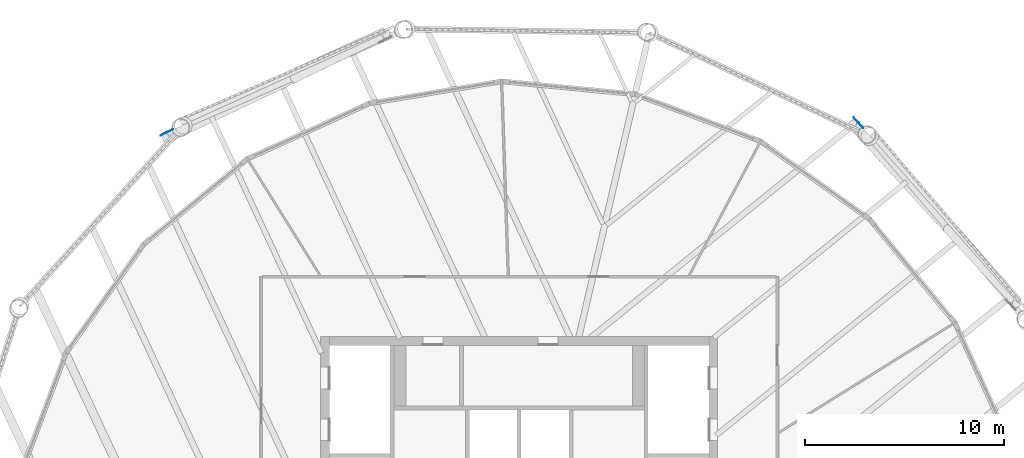
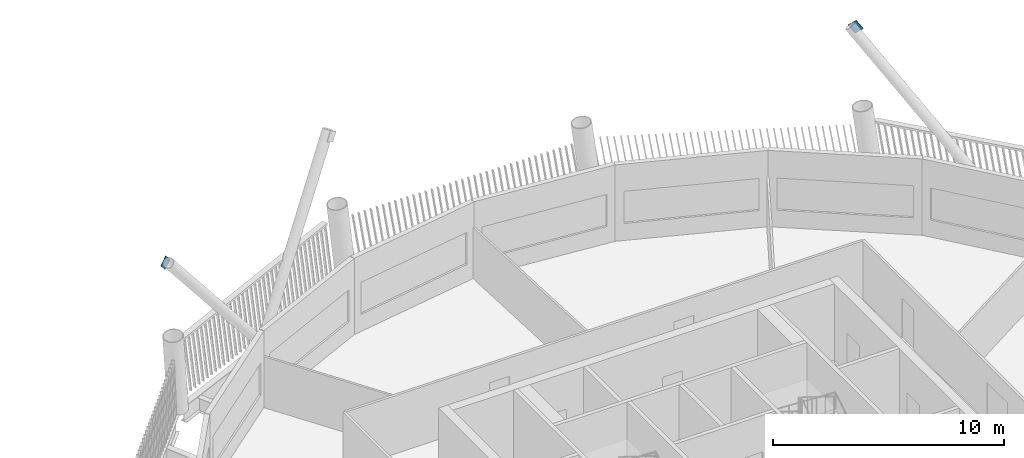
# One storey, part 23 of 36: 2 discrete accessories.
"""IFC4 building model written with IfcOpenShell, lengths in metres."""

import ifcopenshell
import ifcopenshell.guid

model = None  # the IFC model being written
_history = None  # IfcOwnerHistory: only IFC2X3 demands one
_inside = {}  # id of a spatial element -> (the spatial element, [elements in it])
_under = {}  # id of a project, library or spatial element -> (it, [spatial elements below it])
_declared = {}  # id of a project -> (the project, [libraries it declares])
_typed = {}  # id of a type object -> (the type object, [elements of that type])
_made_of = {}  # id of a material, layer set ... -> (it, [elements and type objects made of it])


def new_model(schema):
    """Start an empty IFC model of exactly this schema.

    Asked for "IFC4X3", IfcOpenShell would pick the latest addendum, in which some entities
    have other attributes; the version numbers below select the first issue.
    IFC2X3 requires an IfcOwnerHistory on every rooted entity: one is made here for all.
    """
    global model, _history
    if schema == "IFC4X3":
        model = ifcopenshell.file(schema_version=(4, 3, 0, 0))
    else:
        model = ifcopenshell.file(schema=schema)
    _inside.clear()
    _under.clear()
    _declared.clear()
    _typed.clear()
    _made_of.clear()
    _history = None
    if model.schema == "IFC2X3":
        org = make("IfcOrganization", Name="unknown")
        user = make(
            "IfcPersonAndOrganization",
            ThePerson=make("IfcPerson", FamilyName="unknown"),
            TheOrganization=org,
        )
        app = make(
            "IfcApplication",
            ApplicationDeveloper=org,
            Version="unknown",
            ApplicationFullName="unknown",
            ApplicationIdentifier="unknown",
        )
        _history = make(
            "IfcOwnerHistory",
            OwningUser=user,
            OwningApplication=app,
            ChangeAction="ADDED",
            CreationDate=0,
        )
    return model


def make(cls, **values):
    """One entity of the class cls with the attributes given. An attribute that is None is left unset."""
    return model.create_entity(
        cls, **{name: value for name, value in values.items() if value is not None}
    )


def rooted(cls, **values):
    """An entity with a GlobalId (a new one), such as an element, a storey or a relation."""
    return make(cls, GlobalId=ifcopenshell.guid.new(), OwnerHistory=_history, **values)


def si_unit(unit_type, name, prefix=None):
    """IfcSIUnit, for example si_unit("LENGTHUNIT", "METRE", prefix="MILLI")."""
    return make("IfcSIUnit", UnitType=unit_type, Prefix=prefix, Name=name)


def assignment(units):
    """IfcUnitAssignment: the units of a project."""
    return None if units is None else make("IfcUnitAssignment", Units=units)


def point(xyz):
    """IfcCartesianPoint."""
    return None if xyz is None else make("IfcCartesianPoint", Coordinates=xyz)


def direction(xyz):
    """IfcDirection."""
    return None if xyz is None else make("IfcDirection", DirectionRatios=xyz)


def frame(location, z_axis=None, x_axis=None):
    """IfcAxis2Placement3D, a coordinate frame: its origin and axes. An axis left out is left unset."""
    return make(
        "IfcAxis2Placement3D",
        Location=point(location),
        Axis=direction(z_axis),
        RefDirection=direction(x_axis),
    )


def frame_2d(location, x_axis=None):
    """IfcAxis2Placement2D, a coordinate frame in the plane: its origin and x axis."""
    return make(
        "IfcAxis2Placement2D", Location=point(location), RefDirection=direction(x_axis)
    )


def origin():
    """The frame at (0, 0, 0) with its axes left unset."""
    return frame((0.0, 0.0, 0.0))


def origin_2d():
    """The frame at (0, 0) in the plane with its x axis left unset."""
    return frame_2d((0.0, 0.0))


def place(relative_to, where):
    """IfcLocalPlacement: puts the frame where relative to a parent placement (None: the world)."""
    return make(
        "IfcLocalPlacement", PlacementRelTo=relative_to, RelativePlacement=where
    )


def context(
    kind, dimensions, precision=None, world=None, true_north=None, identifier=None
):
    """IfcGeometricRepresentationContext, for example the 3D "Model" context."""
    return make(
        "IfcGeometricRepresentationContext",
        ContextIdentifier=identifier,
        ContextType=kind,
        CoordinateSpaceDimension=dimensions,
        Precision=precision,
        WorldCoordinateSystem=world,
        TrueNorth=true_north,
    )


def subcontext(parent, identifier, kind, view, scale=None):
    """IfcGeometricRepresentationSubContext, for example "Body" below "Model"."""
    return make(
        "IfcGeometricRepresentationSubContext",
        ContextIdentifier=identifier,
        ContextType=kind,
        ParentContext=parent,
        TargetScale=scale,
        TargetView=view,
    )


def project(units=None, contexts=None):
    """IfcProject with its units and contexts."""
    return rooted(
        "IfcProject",
        Name="project",
        RepresentationContexts=contexts,
        UnitsInContext=assignment(units),
    )


def spatial(cls, under=None, at=None, **own):
    """A site, building, storey or space (cls), placed at a placement, below another one or the project."""
    s = rooted(cls, ObjectPlacement=at, **own)
    if under is not None:
        _under.setdefault(under.id(), (under, []))[1].append(s)
    return s


def profile(cls, at=None, kind="AREA", **sizes):
    """A parametric profile (cls). Its sizes go by their IFC names, for example OverallWidth=200.0."""
    return make(cls, ProfileType=kind, Position=at, **sizes)


def rectangle(**sizes):
    """IfcRectangleProfileDef."""
    return profile("IfcRectangleProfileDef", **sizes)


def extrude(swept, where, along, depth):
    """IfcExtrudedAreaSolid: the profile swept, set in the frame where, extruded along a direction by depth."""
    return make(
        "IfcExtrudedAreaSolid",
        SweptArea=swept,
        Position=where,
        ExtrudedDirection=direction(along),
        Depth=depth,
    )


def shape(context_of_items, identifier, shape_type, items):
    """IfcShapeRepresentation: the items that make up one representation, for example the "Body"."""
    return make(
        "IfcShapeRepresentation",
        ContextOfItems=context_of_items,
        RepresentationIdentifier=identifier,
        RepresentationType=shape_type,
        Items=items,
    )


def material(Name=None, Category=None):
    """IfcMaterial."""
    return make("IfcMaterial", Name=Name, Category=Category)


def material_profile(
    of_material, cross_section, Name=None, Category=None, Priority=None
):
    """IfcMaterialProfile: a cross section and its material."""
    return make(
        "IfcMaterialProfile",
        Name=Name,
        Material=of_material,
        Profile=cross_section,
        Priority=Priority,
        Category=Category,
    )


def profile_set(profiles, Name=None, composite=None):
    """IfcMaterialProfileSet."""
    return make(
        "IfcMaterialProfileSet",
        Name=Name,
        MaterialProfiles=profiles,
        CompositeProfile=composite,
    )


def made_of(thing, what):
    """Note that an element or type object is made of a material, layer set ...; save() writes the relation."""
    if what is not None:
        _made_of.setdefault(what.id(), (what, []))[1].append(thing)
    return thing


def type_object(cls, material=None, **own):
    """A type object (cls), such as IfcWallType, which elements share."""
    return made_of(rooted(cls, **own), material)


def element(
    cls,
    number,
    at=None,
    inside=None,
    cuts=None,
    type_object=None,
    material=None,
    context=None,
    identifier="Body",
    shape_type=None,
    held_by="IfcProductDefinitionShape",
    body=None,
    shapes=None,
    **own,
):
    """One element of the class cls, such as IfcWall. Its Tag is "e" and its number.

    at: its placement. inside: the storey or other place that contains it. cuts: it is an
    opening in that element (IfcRelVoidsElement). A single representation is given by context,
    identifier, shape_type and body (its items); several are given by shapes. held_by: the class
    of the entity that holds the representations. save() writes the other relations.
    """
    e = rooted(cls, Tag="e%d" % number, ObjectPlacement=at, **own)
    if body is not None:
        shapes = [shape(context, identifier, shape_type, body)]
    if shapes is not None:
        e.Representation = make(held_by, Representations=shapes)
    if inside is not None:
        _inside.setdefault(inside.id(), (inside, []))[1].append(e)
    if cuts is not None:
        rooted(
            "IfcRelVoidsElement", RelatingBuildingElement=cuts, RelatedOpeningElement=e
        )
    if type_object is not None:
        _typed.setdefault(type_object.id(), (type_object, []))[1].append(e)
    return made_of(e, material)


def aggregate(whole, parts):
    """IfcRelAggregates: a whole, such as a stair, and the parts it consists of."""
    return rooted("IfcRelAggregates", RelatingObject=whole, RelatedObjects=parts)


def save(model, path):
    """Write the relations noted so far, then the file.

    IfcRelAggregates (storeys below a building ...), IfcRelContainedInSpatialStructure (elements
    in a storey), IfcRelDefinesByType, IfcRelAssociatesMaterial and IfcRelDeclares: one each for
    every whole, place, type object, material and project.
    """
    for whole, parts in _under.values():
        aggregate(whole, parts)
    for where, things in _inside.values():
        rooted(
            "IfcRelContainedInSpatialStructure",
            RelatedElements=things,
            RelatingStructure=where,
        )
    for kind, things in _typed.values():
        rooted("IfcRelDefinesByType", RelatedObjects=things, RelatingType=kind)
    for what, things in _made_of.values():
        rooted("IfcRelAssociatesMaterial", RelatedObjects=things, RelatingMaterial=what)
    for by, libraries in _declared.values():
        rooted("IfcRelDeclares", RelatingContext=by, RelatedDefinitions=libraries)
    model.write(path)


model = new_model("IFC4")

# Units and contexts
model_context = context("Model", 3, precision=1e-05, world=origin(), true_north=direction((0.0, 1.0)))
body_context = subcontext(model_context, "Body", "Model", "MODEL_VIEW")
ifc_project = project(units=[si_unit("LENGTHUNIT", "METRE"), si_unit("AREAUNIT", "SQUARE_METRE"), si_unit("VOLUMEUNIT", "CUBIC_METRE"), si_unit("PLANEANGLEUNIT", "RADIAN"), si_unit("MASSUNIT", "GRAM", prefix="KILO")], contexts=[model_context])

# Site, building, storey
site_placement = place(None, origin())
site = spatial("IfcSite", under=ifc_project, at=site_placement, CompositionType="ELEMENT")
building_placement = place(site_placement, origin())
building = spatial("IfcBuilding", under=site, at=building_placement, Name="Tarsis Ring Headquarters", CompositionType="ELEMENT")
storey_placement = place(building_placement, frame((0.0, 0.0, 386.0)))
storey = spatial("IfcBuildingStorey", under=building, at=storey_placement, Name="L91", CompositionType="ELEMENT", Elevation=386.0)

# Discrete accessories
ifc_material = material(Name="Structural steel S355", Category="steel")
ifc_material_profile = material_profile(ifc_material, rectangle(XDim=0.02490234375, YDim=0.5, at=origin_2d()), Name="PL 25x500")
ifc_profile_set = profile_set([ifc_material_profile], Name="Structural steel S355")
discrete_accessory_type = type_object("IfcDiscreteAccessoryType", Name="Gusset plate Exo brace 25", PredefinedType="BRACKET", material=ifc_profile_set)
for number, where, z_axis, x_axis, name in (
    (1, (16.98388671875, 23.886474609375, 8.39990234375), (0.437034486418, -0.47902886165, -0.761270127739), (0.738746290472, 0.673983618728, 0.0), "Gusset plate GP5"),
    (2, (-17.88818359375, 23.216796875, 8.39990234375), (0.585541504249, 0.278364184672, -0.761350462989), (-0.429348717177, 0.903138792799, 0.0), "Gusset plate GP5"),
):
    element("IfcDiscreteAccessory", number, at=place(storey_placement, frame(where, z_axis=z_axis, x_axis=x_axis)), inside=storey, type_object=discrete_accessory_type, Name=name, PredefinedType="BRACKET", context=body_context, shape_type="SweptSolid", body=[
        extrude(rectangle(XDim=0.02490234375, YDim=0.5, at=origin_2d()), origin(), (0.0, 0.0, 1.0), 0.5),
    ])

save(model, "model.ifc")
